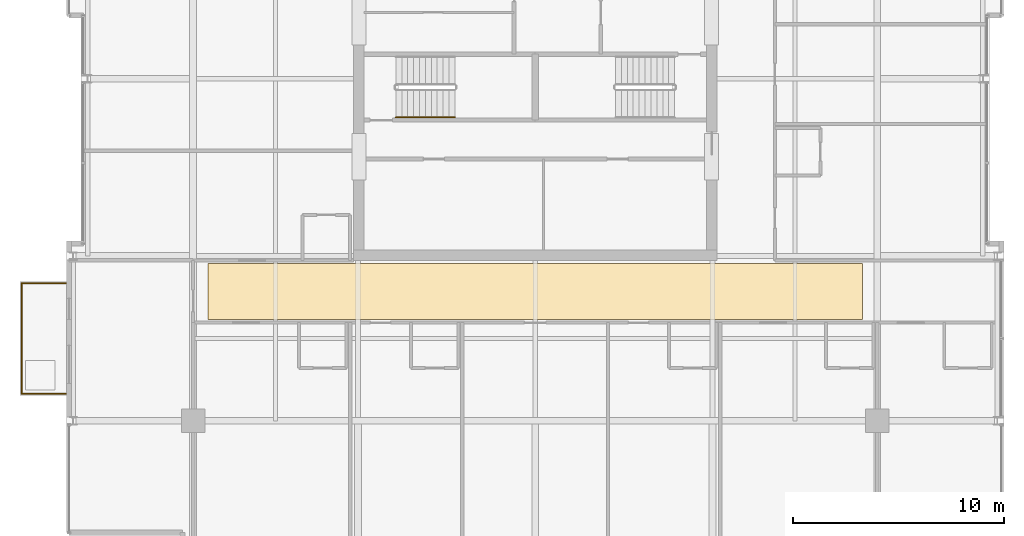
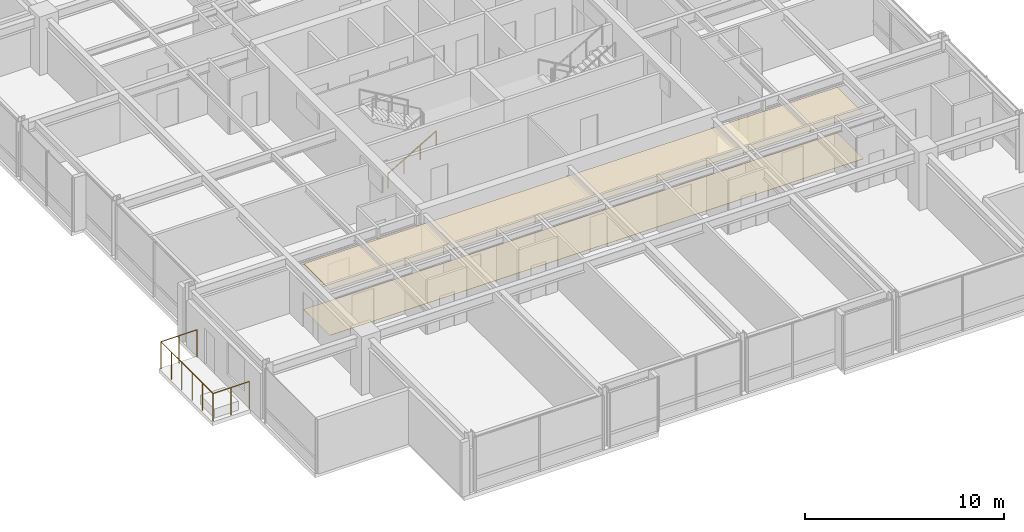
# One storey, part 30 of 31: 2 coverings, 2 railings.
"""IFC4 building model written with IfcOpenShell, lengths in metres."""

from ifc_helpers import new_model, si_unit, direction, frame, origin, origin_2d, place, context, subcontext, project, spatial, polyline, circle, outline, extrude, material, layer, layer_set, type_object, element, save


model = new_model("IFC4")

# Units and contexts
model_context = context("Model", 3, precision=1e-05, world=origin(), true_north=direction((0.0, 1.0)))
body_context = subcontext(model_context, "Body", "Model", "MODEL_VIEW")
ifc_project = project(units=[si_unit("LENGTHUNIT", "METRE"), si_unit("AREAUNIT", "SQUARE_METRE"), si_unit("VOLUMEUNIT", "CUBIC_METRE"), si_unit("PLANEANGLEUNIT", "RADIAN"), si_unit("MASSUNIT", "GRAM", prefix="KILO")], contexts=[model_context])

# Site, building, storey
site_placement = place(None, origin())
site = spatial("IfcSite", under=ifc_project, at=site_placement, CompositionType="ELEMENT")
building_placement = place(site_placement, origin())
building = spatial("IfcBuilding", under=site, at=building_placement, Name="Drelvath Grand Hotel", CompositionType="ELEMENT")
storey_placement = place(building_placement, frame((0.0, 0.0, 230.300048828125)))
storey = spatial("IfcBuildingStorey", under=building, at=storey_placement, Name="L60", CompositionType="ELEMENT", Elevation=230.300048828125)

# Railing
ifc_material_1 = material(Name="Painted Steel S275", Category="steel")
railing_type_1 = type_object("IfcRailingType", Name="Core Stair Wall Handrail 900", PredefinedType="HANDRAIL", material=ifc_material_1)
railing_1_placement = place(storey_placement, frame((-6.60009765625, 25.169921875, 0.16357421875)))
element("IfcRailing", 1, at=railing_1_placement, inside=storey, type_object=railing_type_1, Name="L60 ST-1 stair handrail 1", PredefinedType="HANDRAIL", context=body_context, shape_type="SweptSolid", body=[
    extrude(circle(Radius=0.02392578125, at=origin_2d()), frame((0.0, 0.0, 0.8759765625), z_axis=(0.863360870873, 0.0, 0.504586966384), x_axis=(0.0, 1.0, 0.0)), (0.0, 0.0, 1.0), 3.2431640625),
    extrude(circle(Radius=0.02099609375, at=origin_2d()), origin(), (0.0, 0.0, 1.0), 0.851806640625),
    extrude(circle(Radius=0.02099609375, at=origin_2d()), frame((0.933349609375, 0.0, 0.54541015625)), (0.0, 0.0, 1.0), 0.851806640625),
    extrude(circle(Radius=0.02099609375, at=origin_2d()), frame((1.86669921875, 0.0, 1.091064453125)), (0.0, 0.0, 1.0), 0.851806640625),
    extrude(circle(Radius=0.02099609375, at=origin_2d()), frame((2.800048828125, 0.0, 1.636474609375)), (0.0, 0.0, 1.0), 0.851806640625),
])

# Coverings
ifc_material_2 = material(Name="Woven Wool Broadloom Carpet")
ifc_layer_1 = layer(ifc_material_2, 0.01806640625)
ifc_layer_set_1 = layer_set([ifc_layer_1], Name="Woven Wool Broadloom Carpet")
covering_type_1 = type_object("IfcCoveringType", Name="Hospitality Broadloom Carpet 18", PredefinedType="FLOORING", material=ifc_layer_set_1)
covering_1_placement = place(storey_placement, origin())
element("IfcCovering", 2, at=covering_1_placement, inside=storey, type_object=covering_type_1, Name="L60 Upper Gallery Carpet", PredefinedType="FLOORING", context=body_context, shape_type="SweptSolid", body=[
    extrude(outline(polyline([(15.5, 15.60009765625), (15.5, 18.25), (-15.5, 18.25), (-15.5, 15.60009765625), (15.5, 15.60009765625)])), origin(), (0.0, 0.0, 1.0), 0.01806640625),
])
ifc_material_3 = material(Name="Anodised Aluminium Alloy", Category="aluminium")
ifc_layer_2 = layer(ifc_material_3, 0.0400390625)
ifc_layer_set_2 = layer_set([ifc_layer_2], Name="Anodised Aluminium Alloy")
covering_type_2 = type_object("IfcCoveringType", Name="Perforated Metal Corridor Ceiling 40", PredefinedType="CEILING", material=ifc_layer_set_2)
covering_2_placement = place(storey_placement, frame((0.0, 0.0, 2.7900390625)))
element("IfcCovering", 3, at=covering_2_placement, inside=storey, type_object=covering_type_2, Name="L60 Upper Gallery Ceiling", PredefinedType="CEILING", context=body_context, shape_type="SweptSolid", body=[
    extrude(outline(polyline([(15.5, 15.60009765625), (15.5, 18.25), (-15.5, 18.25), (-15.5, 15.60009765625), (15.5, 15.60009765625)])), origin(), (0.0, 0.0, 1.0), 0.039794921875),
])

# Railing
ifc_material_4 = material(Name="Anodised Aluminium and Laminated Glass Balustrade", Category="aluminium")
railing_type_2 = type_object("IfcRailingType", Name="Raised Planter Edge Balustrade 1700", PredefinedType="BALUSTRADE", material=ifc_material_4)
railing_2_placement = place(storey_placement, frame((-22.219970703125, 12.080078125, 0.0)))
element("IfcRailing", 4, at=railing_2_placement, inside=storey, type_object=railing_type_2, Name="L60 Tree Balcony Perimeter Balustrade 1", PredefinedType="BALUSTRADE", context=body_context, shape_type="SweptSolid", body=[
    extrude(circle(Radius=0.02392578125, at=origin_2d()), frame((0.0, 0.0, 1.67578125), z_axis=(-1.0, 0.0, 0.0), x_axis=(0.0, -1.0, 0.0)), (0.0, 0.0, 1.0), 2.10009765625),
    extrude(circle(Radius=0.02392578125, at=origin_2d()), frame((-2.10009765625, 0.0, 1.67578125), z_axis=(0.0, 1.0, 0.0), x_axis=(-1.0, 0.0, 0.0)), (0.0, 0.0, 1.0), 5.239990234375),
    extrude(circle(Radius=0.02392578125, at=origin_2d()), frame((-2.10009765625, 5.239990234375, 1.67578125), z_axis=(1.0, 0.0, 0.0), x_axis=(0.0, 1.0, 0.0)), (0.0, 0.0, 1.0), 2.10009765625),
    extrude(circle(Radius=0.02099609375, at=origin_2d()), origin(), (0.0, 0.0, 1.0), 1.65185546875),
    extrude(circle(Radius=0.02099609375, at=origin_2d()), frame((-1.050048828125, 0.0, 0.0)), (0.0, 0.0, 1.0), 1.65185546875),
    extrude(circle(Radius=0.02099609375, at=origin_2d()), frame((-2.10009765625, 0.0, 0.0)), (0.0, 0.0, 1.0), 1.65185546875),
    extrude(circle(Radius=0.02099609375, at=origin_2d()), frame((-2.10009765625, 1.048095703125, 0.0)), (0.0, 0.0, 1.0), 1.65185546875),
    extrude(circle(Radius=0.02099609375, at=origin_2d()), frame((-2.10009765625, 2.095947265625, 0.0)), (0.0, 0.0, 1.0), 1.65185546875),
    extrude(circle(Radius=0.02099609375, at=origin_2d()), frame((-2.10009765625, 3.14404296875, 0.0)), (0.0, 0.0, 1.0), 1.65185546875),
    extrude(circle(Radius=0.02099609375, at=origin_2d()), frame((-2.10009765625, 4.19189453125, 0.0)), (0.0, 0.0, 1.0), 1.65185546875),
    extrude(circle(Radius=0.02099609375, at=origin_2d()), frame((-2.10009765625, 5.239990234375, 0.0)), (0.0, 0.0, 1.0), 1.65185546875),
    extrude(circle(Radius=0.02099609375, at=origin_2d()), frame((-1.050048828125, 5.239990234375, 0.0)), (0.0, 0.0, 1.0), 1.65185546875),
    extrude(circle(Radius=0.02099609375, at=origin_2d()), frame((0.0, 5.239990234375, 0.0)), (0.0, 0.0, 1.0), 1.65185546875),
])

save(model, "model.ifc")
